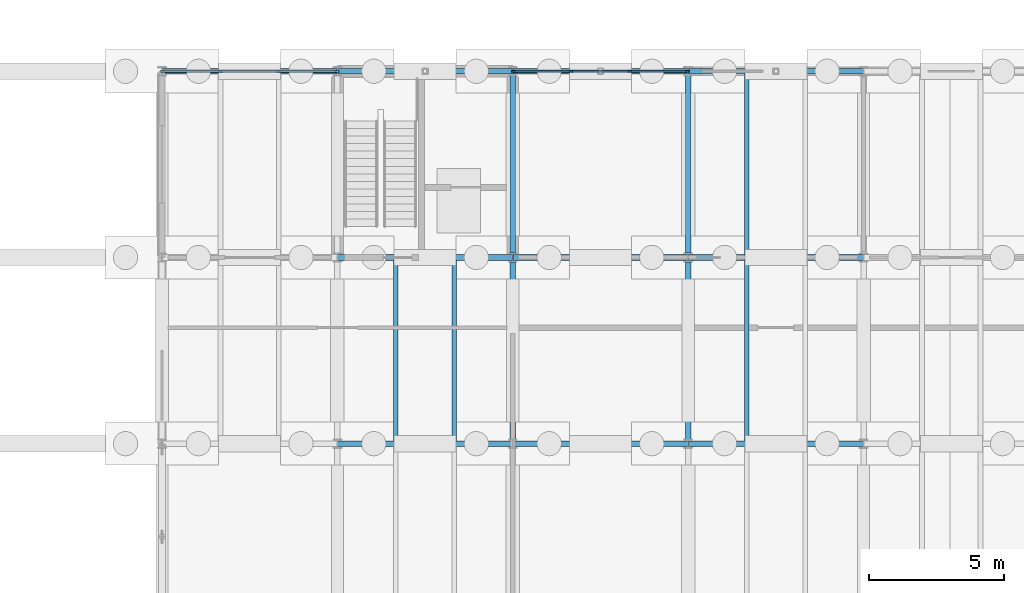
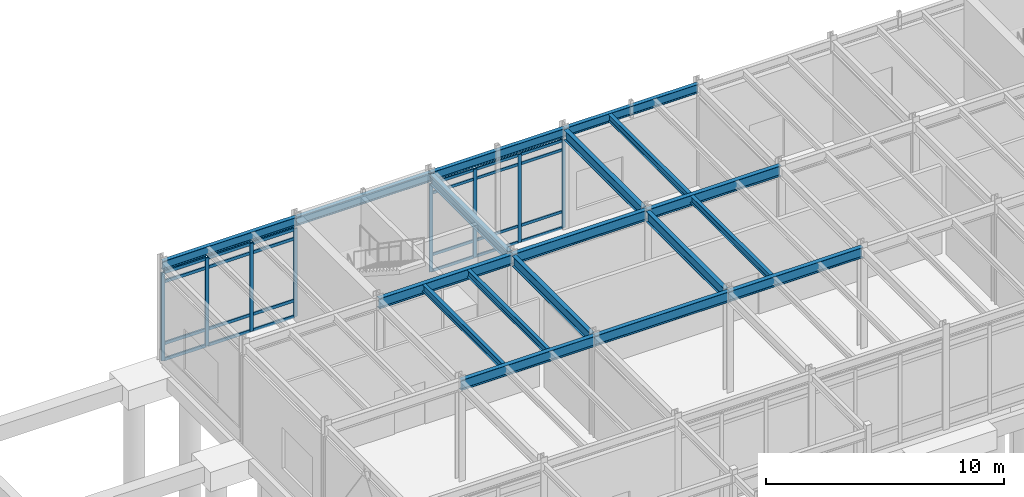
# One storey, part 42 of 82: 32 members, 18 beams, 2 elements without a shape of their own.
"""IFC4 building model written with IfcOpenShell, lengths in metres."""

from ifc_helpers import new_model, si_unit, direction, frame, origin, origin_2d, place, context, subcontext, project, spatial, rectangle, i_section, extrude, material, layer, layer_set, material_profile, profile_set, type_object, element, aggregate, save


model = new_model("IFC4")

# Units and contexts
model_context = context("Model", 3, precision=1e-05, world=origin(), true_north=direction((0.0, 1.0)))
body_context = subcontext(model_context, "Body", "Model", "MODEL_VIEW")
ifc_project = project(units=[si_unit("LENGTHUNIT", "METRE"), si_unit("AREAUNIT", "SQUARE_METRE"), si_unit("VOLUMEUNIT", "CUBIC_METRE"), si_unit("PLANEANGLEUNIT", "RADIAN"), si_unit("MASSUNIT", "GRAM", prefix="KILO")], contexts=[model_context])

# Site, building, storey
site_placement = place(None, origin())
site = spatial("IfcSite", under=ifc_project, at=site_placement, CompositionType="ELEMENT")
building_placement = place(site_placement, origin())
building = spatial("IfcBuilding", under=site, at=building_placement, Name="Trelmorton Wharf Fire Station", CompositionType="ELEMENT")
storey_placement = place(building_placement, origin())
storey = spatial("IfcBuildingStorey", under=building, at=storey_placement, Name="L00", CompositionType="ELEMENT", Elevation=0.0)

# Beams
ifc_material_1 = material(Name="Steel Grade 350", Category="steel")
ifc_material_profile_1 = material_profile(ifc_material_1, i_section(OverallWidth=0.208984375, OverallDepth=0.532958984375, WebThickness=0.01025390625, FlangeThickness=0.015625, FilletRadius=0.013916015625, at=origin_2d()), Name="530UB92.4")
ifc_profile_set_1 = profile_set([ifc_material_profile_1], Name="Steel Grade 350")
beam_type_1 = type_object("IfcBeamType", Name="BM_530UB92", PredefinedType="BEAM", material=ifc_profile_set_1)
for number, where, z_axis, x_axis, name in (
    (1, (110.505859375, 67.199951171875, 4.863525390625), (1.0, 0.0, 0.0), (0.0, 1.0, 0.0), "BM-L00-0162"),
    (2, (117.005859375, 67.199951171875, 4.863525390625), (1.0, 0.0, 0.0), (0.0, 1.0, 0.0), "BM-L00-0163"),
    (3, (123.505859375, 67.199951171875, 4.863525390625), (1.0, 0.0, 0.0), (0.0, 1.0, 0.0), "BM-L00-0164"),
    (4, (110.505859375, 74.10009765625, 4.863525390625), (1.0, 0.0, 0.0), (0.0, 1.0, 0.0), "BM-L00-0182"),
    (5, (117.005859375, 74.10009765625, 4.863525390625), (1.0, 0.0, 0.0), (0.0, 1.0, 0.0), "BM-L00-0183"),
    (6, (123.505859375, 74.10009765625, 4.863525390625), (1.0, 0.0, 0.0), (0.0, 1.0, 0.0), "BM-L00-0184"),
):
    element("IfcBeam", number, at=place(storey_placement, frame(where, z_axis=z_axis, x_axis=x_axis)), inside=storey, type_object=beam_type_1, Name=name, PredefinedType="BEAM", context=body_context, shape_type="SweptSolid", body=[
        extrude(i_section(OverallWidth=0.208984375, OverallDepth=0.532958984375, WebThickness=0.01025390625, FlangeThickness=0.015625, FilletRadius=0.013916015625, at=origin_2d()), origin(), (0.0, 0.0, 1.0), 6.48828125),
    ])
beam_1_placement = place(storey_placement, frame((117.0, 67.359619140625, 4.863525390625), z_axis=(0.0, 1.0, 0.0), x_axis=(-1.0, 0.0, 0.0)))
element("IfcBeam", 7, at=beam_1_placement, inside=storey, type_object=beam_type_1, Name="BM-L00-0339", PredefinedType="BEAM", context=body_context, shape_type="SweptSolid", body=[
    extrude(i_section(OverallWidth=0.208984375, OverallDepth=0.532958984375, WebThickness=0.01025390625, FlangeThickness=0.015625, FilletRadius=0.013916015625, at=origin_2d()), origin(), (0.0, 0.0, 1.0), 6.580810546875),
])
beam_2_placement = place(storey_placement, frame((117.0, 74.259521484375, 4.863525390625), z_axis=(0.0, 1.0, 0.0), x_axis=(-1.0, 0.0, 0.0)))
element("IfcBeam", 8, at=beam_2_placement, inside=storey, type_object=beam_type_1, Name="BM-L00-0340", PredefinedType="BEAM", context=body_context, shape_type="SweptSolid", body=[
    extrude(i_section(OverallWidth=0.208984375, OverallDepth=0.532958984375, WebThickness=0.01025390625, FlangeThickness=0.015625, FilletRadius=0.013916015625, at=origin_2d()), origin(), (0.0, 0.0, 1.0), 6.5810546875),
])
beam_3_placement = place(storey_placement, frame((123.5, 67.359619140625, 4.863525390625), z_axis=(0.0, 1.0, 0.0), x_axis=(-1.0, 0.0, 0.0)))
element("IfcBeam", 9, at=beam_3_placement, inside=storey, type_object=beam_type_1, Name="BM-L00-0349", PredefinedType="BEAM", context=body_context, shape_type="SweptSolid", body=[
    extrude(i_section(OverallWidth=0.208984375, OverallDepth=0.532958984375, WebThickness=0.01025390625, FlangeThickness=0.015625, FilletRadius=0.013916015625, at=origin_2d()), origin(), (0.0, 0.0, 1.0), 6.580810546875),
])
beam_4_placement = place(storey_placement, frame((123.5, 74.259521484375, 4.863525390625), z_axis=(0.0, 1.0, 0.0), x_axis=(-1.0, 0.0, 0.0)))
element("IfcBeam", 10, at=beam_4_placement, inside=storey, type_object=beam_type_1, Name="BM-L00-0350", PredefinedType="BEAM", context=body_context, shape_type="SweptSolid", body=[
    extrude(i_section(OverallWidth=0.208984375, OverallDepth=0.532958984375, WebThickness=0.01025390625, FlangeThickness=0.015625, FilletRadius=0.013916015625, at=origin_2d()), origin(), (0.0, 0.0, 1.0), 6.5810546875),
])

# Curtain wall, members
ifc_material_2 = material(Name="Anodised aluminium AW-6063", Category="aluminium")
ifc_layer = layer(ifc_material_2, 0.14990234375)
ifc_layer_set = layer_set([ifc_layer], Name="Anodised aluminium AW-6063")
curtain_wall_type = type_object("IfcCurtainWallType", Name="CW_UNIT_A", PredefinedType="USERDEFINED", material=ifc_layer_set)
curtain_wall_1_placement = place(storey_placement, origin())
curtain_wall_1 = element("IfcCurtainWall", 11, at=curtain_wall_1_placement, inside=storey, type_object=curtain_wall_type, Name="CW-V4-L00-121", ObjectType="UNITISED CURTAIN WALL", PredefinedType="USERDEFINED")
ifc_material_profile_2 = material_profile(ifc_material_2, rectangle(XDim=0.06494140625, YDim=0.159912109375, at=origin_2d()), Name="ALU-65x160")
ifc_profile_set_2 = profile_set([ifc_material_profile_2], Name="Anodised aluminium AW-6063")
member_type_1 = type_object("IfcMemberType", Name="CWM_65x160", PredefinedType="MULLION", material=ifc_profile_set_2)
member_1_placement = place(storey_placement, frame((117.034912109375, 81.0, 0.0), z_axis=(0.0, 0.0, 1.0), x_axis=(0.0, 1.0, 0.0)))
member_1 = element("IfcMember", 12, at=member_1_placement, type_object=member_type_1, Name="CW3 mullion 1", PredefinedType="MULLION", context=body_context, shape_type="SweptSolid", body=[
    extrude(rectangle(XDim=0.06494140625, YDim=0.159912109375, at=origin_2d()), origin(), (0.0, 0.0, 1.0), 4.52001953125),
])
member_2_placement = place(storey_placement, frame((119.168212890625, 81.0, 0.0), z_axis=(0.0, 0.0, 1.0), x_axis=(0.0, 1.0, 0.0)))
member_2 = element("IfcMember", 13, at=member_2_placement, type_object=member_type_1, Name="CW3 mullion 2", PredefinedType="MULLION", context=body_context, shape_type="SweptSolid", body=[
    extrude(rectangle(XDim=0.06494140625, YDim=0.159912109375, at=origin_2d()), origin(), (0.0, 0.0, 1.0), 4.52001953125),
])
member_3_placement = place(storey_placement, frame((121.331787109375, 81.0, 0.0), z_axis=(0.0, 0.0, 1.0), x_axis=(0.0, 1.0, 0.0)))
member_3 = element("IfcMember", 14, at=member_3_placement, type_object=member_type_1, Name="CW3 mullion 3", PredefinedType="MULLION", context=body_context, shape_type="SweptSolid", body=[
    extrude(rectangle(XDim=0.06494140625, YDim=0.159912109375, at=origin_2d()), origin(), (0.0, 0.0, 1.0), 4.52001953125),
])
member_4_placement = place(storey_placement, frame((123.465087890625, 81.0, 0.0), z_axis=(0.0, 0.0, 1.0), x_axis=(0.0, 1.0, 0.0)))
member_4 = element("IfcMember", 15, at=member_4_placement, type_object=member_type_1, Name="CW3 mullion 4", PredefinedType="MULLION", context=body_context, shape_type="SweptSolid", body=[
    extrude(rectangle(XDim=0.06494140625, YDim=0.159912109375, at=origin_2d()), origin(), (0.0, 0.0, 1.0), 4.52001953125),
])

curtain_wall_2_placement = place(storey_placement, origin())
curtain_wall_2 = element("IfcCurtainWall", 16, at=curtain_wall_2_placement, inside=storey, type_object=curtain_wall_type, Name="CW-V4-L00-120", ObjectType="UNITISED CURTAIN WALL", PredefinedType="USERDEFINED")
ifc_material_profile_3 = material_profile(ifc_material_2, rectangle(XDim=0.074951171875, YDim=0.175048828125, at=origin_2d()), Name="ALU-75x175")
ifc_profile_set_3 = profile_set([ifc_material_profile_3], Name="Anodised aluminium AW-6063")
member_type_2 = type_object("IfcMemberType", Name="CWM_75x175", PredefinedType="MULLION", material=ifc_profile_set_3)
member_5_placement = place(storey_placement, frame((104.034912109375, 81.0, 0.0), z_axis=(0.0, 0.0, 1.0), x_axis=(0.0, 1.0, 0.0)))
member_5 = element("IfcMember", 17, at=member_5_placement, type_object=member_type_2, Name="CW3 mullion 1", PredefinedType="MULLION", context=body_context, shape_type="SweptSolid", body=[
    extrude(rectangle(XDim=0.074951171875, YDim=0.175048828125, at=origin_2d()), origin(), (0.0, 0.0, 1.0), 4.52001953125),
])
member_6_placement = place(storey_placement, frame((106.168212890625, 81.0, 0.0), z_axis=(0.0, 0.0, 1.0), x_axis=(0.0, 1.0, 0.0)))
member_6 = element("IfcMember", 18, at=member_6_placement, type_object=member_type_2, Name="CW3 mullion 2", PredefinedType="MULLION", context=body_context, shape_type="SweptSolid", body=[
    extrude(rectangle(XDim=0.074951171875, YDim=0.175048828125, at=origin_2d()), origin(), (0.0, 0.0, 1.0), 4.52001953125),
])
member_7_placement = place(storey_placement, frame((108.331787109375, 81.0, 0.0), z_axis=(0.0, 0.0, 1.0), x_axis=(0.0, 1.0, 0.0)))
member_7 = element("IfcMember", 19, at=member_7_placement, type_object=member_type_2, Name="CW3 mullion 3", PredefinedType="MULLION", context=body_context, shape_type="SweptSolid", body=[
    extrude(rectangle(XDim=0.074951171875, YDim=0.175048828125, at=origin_2d()), origin(), (0.0, 0.0, 1.0), 4.52001953125),
])
member_8_placement = place(storey_placement, frame((110.465087890625, 81.0, 0.0), z_axis=(0.0, 0.0, 1.0), x_axis=(0.0, 1.0, 0.0)))
member_8 = element("IfcMember", 20, at=member_8_placement, type_object=member_type_2, Name="CW3 mullion 4", PredefinedType="MULLION", context=body_context, shape_type="SweptSolid", body=[
    extrude(rectangle(XDim=0.074951171875, YDim=0.175048828125, at=origin_2d()), origin(), (0.0, 0.0, 1.0), 4.52001953125),
])

# Member
ifc_material_profile_4 = material_profile(ifc_material_2, rectangle(XDim=0.06494140625, YDim=0.139892578125, at=origin_2d()), Name="ALU-65x140")
ifc_profile_set_4 = profile_set([ifc_material_profile_4], Name="Anodised aluminium AW-6063")
member_type_3 = type_object("IfcMemberType", Name="CWT_65x140", PredefinedType="USERDEFINED", material=ifc_profile_set_4)
member_9_placement = place(storey_placement, frame((117.06494140625, 81.0, 0.030029296875), z_axis=(1.0, 0.0, 0.0), x_axis=(0.0, 1.0, 0.0)))
member_9 = element("IfcMember", 21, at=member_9_placement, type_object=member_type_3, Name="CW3 transom 1.1", ObjectType="TRANSOM", PredefinedType="USERDEFINED", context=body_context, shape_type="SweptSolid", body=[
    extrude(rectangle(XDim=0.06494140625, YDim=0.139892578125, at=origin_2d()), origin(), (0.0, 0.0, 1.0), 2.073486328125),
])

member_10_placement = place(storey_placement, frame((117.06494140625, 81.0, 0.85009765625), z_axis=(1.0, 0.0, 0.0), x_axis=(0.0, 1.0, 0.0)))
member_10 = element("IfcMember", 22, at=member_10_placement, type_object=member_type_3, Name="CW3 transom 1.2", ObjectType="TRANSOM", PredefinedType="USERDEFINED", context=body_context, shape_type="SweptSolid", body=[
    extrude(rectangle(XDim=0.06494140625, YDim=0.139892578125, at=origin_2d()), origin(), (0.0, 0.0, 1.0), 2.073486328125),
])

member_11_placement = place(storey_placement, frame((117.06494140625, 81.0, 4.02001953125), z_axis=(1.0, 0.0, 0.0), x_axis=(0.0, 1.0, 0.0)))
member_11 = element("IfcMember", 23, at=member_11_placement, type_object=member_type_3, Name="CW3 transom 1.3", ObjectType="TRANSOM", PredefinedType="USERDEFINED", context=body_context, shape_type="SweptSolid", body=[
    extrude(rectangle(XDim=0.06494140625, YDim=0.139892578125, at=origin_2d()), origin(), (0.0, 0.0, 1.0), 2.073486328125),
])

member_12_placement = place(storey_placement, frame((117.06494140625, 81.0, 4.489990234375), z_axis=(1.0, 0.0, 0.0), x_axis=(0.0, 1.0, 0.0)))
member_12 = element("IfcMember", 24, at=member_12_placement, type_object=member_type_3, Name="CW3 transom 1.4", ObjectType="TRANSOM", PredefinedType="USERDEFINED", context=body_context, shape_type="SweptSolid", body=[
    extrude(rectangle(XDim=0.06494140625, YDim=0.139892578125, at=origin_2d()), origin(), (0.0, 0.0, 1.0), 2.073486328125),
])

member_13_placement = place(storey_placement, frame((119.1982421875, 81.0, 0.030029296875), z_axis=(1.0, 0.0, 0.0), x_axis=(0.0, 1.0, 0.0)))
member_13 = element("IfcMember", 25, at=member_13_placement, type_object=member_type_3, Name="CW3 transom 2.1", ObjectType="TRANSOM", PredefinedType="USERDEFINED", context=body_context, shape_type="SweptSolid", body=[
    extrude(rectangle(XDim=0.06494140625, YDim=0.139892578125, at=origin_2d()), origin(), (0.0, 0.0, 1.0), 2.103515625),
])

member_14_placement = place(storey_placement, frame((119.1982421875, 81.0, 0.85009765625), z_axis=(1.0, 0.0, 0.0), x_axis=(0.0, 1.0, 0.0)))
member_14 = element("IfcMember", 26, at=member_14_placement, type_object=member_type_3, Name="CW3 transom 2.2", ObjectType="TRANSOM", PredefinedType="USERDEFINED", context=body_context, shape_type="SweptSolid", body=[
    extrude(rectangle(XDim=0.06494140625, YDim=0.139892578125, at=origin_2d()), origin(), (0.0, 0.0, 1.0), 2.103515625),
])

member_15_placement = place(storey_placement, frame((119.1982421875, 81.0, 4.02001953125), z_axis=(1.0, 0.0, 0.0), x_axis=(0.0, 1.0, 0.0)))
member_15 = element("IfcMember", 27, at=member_15_placement, type_object=member_type_3, Name="CW3 transom 2.3", ObjectType="TRANSOM", PredefinedType="USERDEFINED", context=body_context, shape_type="SweptSolid", body=[
    extrude(rectangle(XDim=0.06494140625, YDim=0.139892578125, at=origin_2d()), origin(), (0.0, 0.0, 1.0), 2.103515625),
])

member_16_placement = place(storey_placement, frame((119.1982421875, 81.0, 4.489990234375), z_axis=(1.0, 0.0, 0.0), x_axis=(0.0, 1.0, 0.0)))
member_16 = element("IfcMember", 28, at=member_16_placement, type_object=member_type_3, Name="CW3 transom 2.4", ObjectType="TRANSOM", PredefinedType="USERDEFINED", context=body_context, shape_type="SweptSolid", body=[
    extrude(rectangle(XDim=0.06494140625, YDim=0.139892578125, at=origin_2d()), origin(), (0.0, 0.0, 1.0), 2.103515625),
])

member_17_placement = place(storey_placement, frame((121.361572265625, 81.0, 0.030029296875), z_axis=(1.0, 0.0, 0.0), x_axis=(0.0, 1.0, 0.0)))
member_17 = element("IfcMember", 29, at=member_17_placement, type_object=member_type_3, Name="CW3 transom 3.1", ObjectType="TRANSOM", PredefinedType="USERDEFINED", context=body_context, shape_type="SweptSolid", body=[
    extrude(rectangle(XDim=0.06494140625, YDim=0.139892578125, at=origin_2d()), origin(), (0.0, 0.0, 1.0), 2.073486328125),
])

member_18_placement = place(storey_placement, frame((121.361572265625, 81.0, 0.85009765625), z_axis=(1.0, 0.0, 0.0), x_axis=(0.0, 1.0, 0.0)))
member_18 = element("IfcMember", 30, at=member_18_placement, type_object=member_type_3, Name="CW3 transom 3.2", ObjectType="TRANSOM", PredefinedType="USERDEFINED", context=body_context, shape_type="SweptSolid", body=[
    extrude(rectangle(XDim=0.06494140625, YDim=0.139892578125, at=origin_2d()), origin(), (0.0, 0.0, 1.0), 2.073486328125),
])

member_19_placement = place(storey_placement, frame((121.361572265625, 81.0, 4.02001953125), z_axis=(1.0, 0.0, 0.0), x_axis=(0.0, 1.0, 0.0)))
member_19 = element("IfcMember", 31, at=member_19_placement, type_object=member_type_3, Name="CW3 transom 3.3", ObjectType="TRANSOM", PredefinedType="USERDEFINED", context=body_context, shape_type="SweptSolid", body=[
    extrude(rectangle(XDim=0.06494140625, YDim=0.139892578125, at=origin_2d()), origin(), (0.0, 0.0, 1.0), 2.073486328125),
])

member_20_placement = place(storey_placement, frame((121.361572265625, 81.0, 4.489990234375), z_axis=(1.0, 0.0, 0.0), x_axis=(0.0, 1.0, 0.0)))
member_20 = element("IfcMember", 32, at=member_20_placement, type_object=member_type_3, Name="CW3 transom 3.4", ObjectType="TRANSOM", PredefinedType="USERDEFINED", context=body_context, shape_type="SweptSolid", body=[
    extrude(rectangle(XDim=0.06494140625, YDim=0.139892578125, at=origin_2d()), origin(), (0.0, 0.0, 1.0), 2.073486328125),
])

aggregate(curtain_wall_1, [member_1, member_2, member_3, member_4, member_9, member_10, member_11, member_12, member_13, member_14, member_15, member_16, member_17, member_18, member_19, member_20])

ifc_material_profile_5 = material_profile(ifc_material_2, rectangle(XDim=0.074951171875, YDim=0.155029296875, at=origin_2d()), Name="ALU-75x155")
ifc_profile_set_5 = profile_set([ifc_material_profile_5], Name="Anodised aluminium AW-6063")
member_type_4 = type_object("IfcMemberType", Name="CWT_75x155", PredefinedType="USERDEFINED", material=ifc_profile_set_5)
member_21_placement = place(storey_placement, frame((104.06494140625, 81.0, 0.030029296875), z_axis=(1.0, 0.0, 0.0), x_axis=(0.0, 1.0, 0.0)))
member_21 = element("IfcMember", 33, at=member_21_placement, type_object=member_type_4, Name="CW3 transom 1.1", ObjectType="TRANSOM", PredefinedType="USERDEFINED", context=body_context, shape_type="SweptSolid", body=[
    extrude(rectangle(XDim=0.074951171875, YDim=0.155029296875, at=origin_2d()), origin(), (0.0, 0.0, 1.0), 2.073486328125),
])

member_22_placement = place(storey_placement, frame((104.06494140625, 81.0, 0.85009765625), z_axis=(1.0, 0.0, 0.0), x_axis=(0.0, 1.0, 0.0)))
member_22 = element("IfcMember", 34, at=member_22_placement, type_object=member_type_4, Name="CW3 transom 1.2", ObjectType="TRANSOM", PredefinedType="USERDEFINED", context=body_context, shape_type="SweptSolid", body=[
    extrude(rectangle(XDim=0.074951171875, YDim=0.155029296875, at=origin_2d()), origin(), (0.0, 0.0, 1.0), 2.073486328125),
])

member_23_placement = place(storey_placement, frame((104.06494140625, 81.0, 4.02001953125), z_axis=(1.0, 0.0, 0.0), x_axis=(0.0, 1.0, 0.0)))
member_23 = element("IfcMember", 35, at=member_23_placement, type_object=member_type_4, Name="CW3 transom 1.3", ObjectType="TRANSOM", PredefinedType="USERDEFINED", context=body_context, shape_type="SweptSolid", body=[
    extrude(rectangle(XDim=0.074951171875, YDim=0.155029296875, at=origin_2d()), origin(), (0.0, 0.0, 1.0), 2.073486328125),
])

member_24_placement = place(storey_placement, frame((104.06494140625, 81.0, 4.489990234375), z_axis=(1.0, 0.0, 0.0), x_axis=(0.0, 1.0, 0.0)))
member_24 = element("IfcMember", 36, at=member_24_placement, type_object=member_type_4, Name="CW3 transom 1.4", ObjectType="TRANSOM", PredefinedType="USERDEFINED", context=body_context, shape_type="SweptSolid", body=[
    extrude(rectangle(XDim=0.074951171875, YDim=0.155029296875, at=origin_2d()), origin(), (0.0, 0.0, 1.0), 2.073486328125),
])

member_25_placement = place(storey_placement, frame((106.1982421875, 81.0, 0.030029296875), z_axis=(1.0, 0.0, 0.0), x_axis=(0.0, 1.0, 0.0)))
member_25 = element("IfcMember", 37, at=member_25_placement, type_object=member_type_4, Name="CW3 transom 2.1", ObjectType="TRANSOM", PredefinedType="USERDEFINED", context=body_context, shape_type="SweptSolid", body=[
    extrude(rectangle(XDim=0.074951171875, YDim=0.155029296875, at=origin_2d()), origin(), (0.0, 0.0, 1.0), 2.103515625),
])

member_26_placement = place(storey_placement, frame((106.1982421875, 81.0, 0.85009765625), z_axis=(1.0, 0.0, 0.0), x_axis=(0.0, 1.0, 0.0)))
member_26 = element("IfcMember", 38, at=member_26_placement, type_object=member_type_4, Name="CW3 transom 2.2", ObjectType="TRANSOM", PredefinedType="USERDEFINED", context=body_context, shape_type="SweptSolid", body=[
    extrude(rectangle(XDim=0.074951171875, YDim=0.155029296875, at=origin_2d()), origin(), (0.0, 0.0, 1.0), 2.103515625),
])

member_27_placement = place(storey_placement, frame((106.1982421875, 81.0, 4.02001953125), z_axis=(1.0, 0.0, 0.0), x_axis=(0.0, 1.0, 0.0)))
member_27 = element("IfcMember", 39, at=member_27_placement, type_object=member_type_4, Name="CW3 transom 2.3", ObjectType="TRANSOM", PredefinedType="USERDEFINED", context=body_context, shape_type="SweptSolid", body=[
    extrude(rectangle(XDim=0.074951171875, YDim=0.155029296875, at=origin_2d()), origin(), (0.0, 0.0, 1.0), 2.103515625),
])

member_28_placement = place(storey_placement, frame((106.1982421875, 81.0, 4.489990234375), z_axis=(1.0, 0.0, 0.0), x_axis=(0.0, 1.0, 0.0)))
member_28 = element("IfcMember", 40, at=member_28_placement, type_object=member_type_4, Name="CW3 transom 2.4", ObjectType="TRANSOM", PredefinedType="USERDEFINED", context=body_context, shape_type="SweptSolid", body=[
    extrude(rectangle(XDim=0.074951171875, YDim=0.155029296875, at=origin_2d()), origin(), (0.0, 0.0, 1.0), 2.103515625),
])

member_29_placement = place(storey_placement, frame((108.361572265625, 81.0, 0.030029296875), z_axis=(1.0, 0.0, 0.0), x_axis=(0.0, 1.0, 0.0)))
member_29 = element("IfcMember", 41, at=member_29_placement, type_object=member_type_4, Name="CW3 transom 3.1", ObjectType="TRANSOM", PredefinedType="USERDEFINED", context=body_context, shape_type="SweptSolid", body=[
    extrude(rectangle(XDim=0.074951171875, YDim=0.155029296875, at=origin_2d()), origin(), (0.0, 0.0, 1.0), 2.073486328125),
])

member_30_placement = place(storey_placement, frame((108.361572265625, 81.0, 0.85009765625), z_axis=(1.0, 0.0, 0.0), x_axis=(0.0, 1.0, 0.0)))
member_30 = element("IfcMember", 42, at=member_30_placement, type_object=member_type_4, Name="CW3 transom 3.2", ObjectType="TRANSOM", PredefinedType="USERDEFINED", context=body_context, shape_type="SweptSolid", body=[
    extrude(rectangle(XDim=0.074951171875, YDim=0.155029296875, at=origin_2d()), origin(), (0.0, 0.0, 1.0), 2.073486328125),
])

member_31_placement = place(storey_placement, frame((108.361572265625, 81.0, 4.02001953125), z_axis=(1.0, 0.0, 0.0), x_axis=(0.0, 1.0, 0.0)))
member_31 = element("IfcMember", 43, at=member_31_placement, type_object=member_type_4, Name="CW3 transom 3.3", ObjectType="TRANSOM", PredefinedType="USERDEFINED", context=body_context, shape_type="SweptSolid", body=[
    extrude(rectangle(XDim=0.074951171875, YDim=0.155029296875, at=origin_2d()), origin(), (0.0, 0.0, 1.0), 2.073486328125),
])

member_32_placement = place(storey_placement, frame((108.361572265625, 81.0, 4.489990234375), z_axis=(1.0, 0.0, 0.0), x_axis=(0.0, 1.0, 0.0)))
member_32 = element("IfcMember", 44, at=member_32_placement, type_object=member_type_4, Name="CW3 transom 3.4", ObjectType="TRANSOM", PredefinedType="USERDEFINED", context=body_context, shape_type="SweptSolid", body=[
    extrude(rectangle(XDim=0.074951171875, YDim=0.155029296875, at=origin_2d()), origin(), (0.0, 0.0, 1.0), 2.073486328125),
])

aggregate(curtain_wall_2, [member_5, member_6, member_7, member_8, member_21, member_22, member_23, member_24, member_25, member_26, member_27, member_28, member_29, member_30, member_31, member_32])

# Beams
ifc_material_profile_6 = material_profile(ifc_material_1, i_section(OverallWidth=0.172119140625, OverallDepth=0.35888671875, WebThickness=0.008056640625, FlangeThickness=0.012939453125, FilletRadius=0.011474609375, at=origin_2d()), Name="360UB56.7")
ifc_profile_set_6 = profile_set([ifc_material_profile_6], Name="Steel Grade 350")
beam_type_2 = type_object("IfcBeamType", Name="JS_360UB57", PredefinedType="JOIST", material=ifc_profile_set_6)
for number, where, z_axis, x_axis, name in (
    (45, (112.666748046875, 67.2900390625, 4.950439453125), (0.0, 1.0, 0.0), (-1.0, 0.0, 0.0), "JS-L00-0083"),
    (46, (114.833251953125, 67.2900390625, 4.950439453125), (0.0, 1.0, 0.0), (-1.0, 0.0, 0.0), "JS-L00-0084"),
    (47, (125.666748046875, 67.2900390625, 4.950439453125), (0.0, 1.0, 0.0), (-1.0, 0.0, 0.0), "JS-L00-0091"),
    (48, (125.666748046875, 74.18994140625, 4.950439453125), (0.0, 1.0, 0.0), (-1.0, 0.0, 0.0), "JS-L00-0093"),
):
    element("IfcBeam", number, at=place(storey_placement, frame(where, z_axis=z_axis, x_axis=x_axis)), inside=storey, type_object=beam_type_2, Name=name, PredefinedType="JOIST", context=body_context, shape_type="SweptSolid", body=[
        extrude(i_section(OverallWidth=0.172119140625, OverallDepth=0.35888671875, WebThickness=0.008056640625, FlangeThickness=0.012939453125, FilletRadius=0.011474609375, at=origin_2d()), origin(), (0.0, 0.0, 1.0), 6.719970703125),
    ])
ifc_material_profile_7 = material_profile(ifc_material_1, i_section(OverallWidth=0.18994140625, OverallDepth=0.45703125, WebThickness=0.009033203125, FlangeThickness=0.014404296875, FilletRadius=0.011474609375, at=origin_2d()), Name="460UB74.6")
ifc_profile_set_7 = profile_set([ifc_material_profile_7], Name="Steel Grade 350")
beam_type_3 = type_object("IfcBeamType", Name="SP_460UB75", PredefinedType="SPANDREL", material=ifc_profile_set_7)
for number, where, z_axis, x_axis, name in (
    (49, (104.005859375, 81.0, 4.901611328125), (1.0, 0.0, 0.0), (0.0, 1.0, 0.0), "BM-L00-0201"),
    (50, (110.505859375, 81.0, 4.901611328125), (1.0, 0.0, 0.0), (0.0, 1.0, 0.0), "BM-L00-0202"),
    (51, (117.005859375, 81.0, 4.901611328125), (1.0, 0.0, 0.0), (0.0, 1.0, 0.0), "BM-L00-0203"),
    (52, (123.505859375, 81.0, 4.901611328125), (1.0, 0.0, 0.0), (0.0, 1.0, 0.0), "BM-L00-0204"),
):
    element("IfcBeam", number, at=place(storey_placement, frame(where, z_axis=z_axis, x_axis=x_axis)), inside=storey, type_object=beam_type_3, Name=name, PredefinedType="SPANDREL", context=body_context, shape_type="SweptSolid", body=[
        extrude(i_section(OverallWidth=0.18994140625, OverallDepth=0.45703125, WebThickness=0.009033203125, FlangeThickness=0.014404296875, FilletRadius=0.011474609375, at=origin_2d()), origin(), (0.0, 0.0, 1.0), 6.48828125),
    ])

save(model, "model.ifc")
